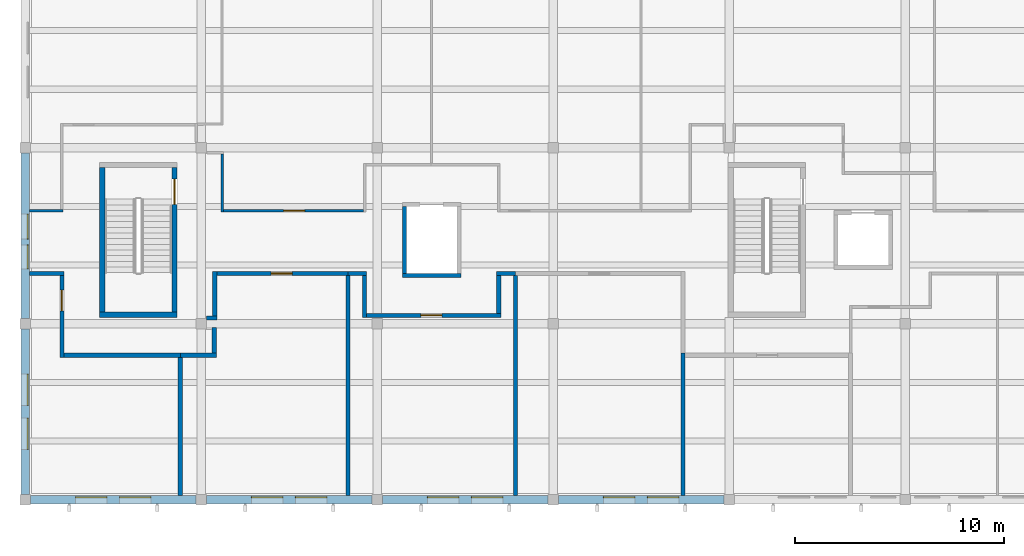
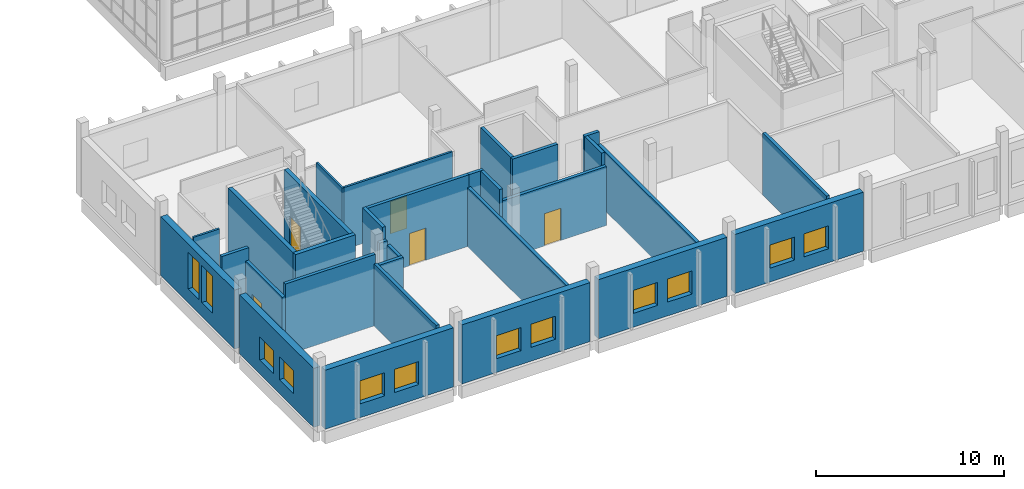
# One storey, part 57 of 119: 31 walls, 12 windows, 5 doors, 17 openings.
"""IFC4 building model written with IfcOpenShell, lengths in metres."""

from ifc_helpers import new_model, si_unit, direction, frame, frame_2d, origin, place, context, subcontext, project, spatial, rectangle, extrude, material, layer, layer_set, type_object, element, fill, save


model = new_model("IFC4")

# Units and contexts
model_context = context("Model", 3, precision=1e-05, world=origin(), true_north=direction((0.0, 1.0)))
body_context = subcontext(model_context, "Body", "Model", "MODEL_VIEW")
ifc_project = project(units=[si_unit("LENGTHUNIT", "METRE"), si_unit("AREAUNIT", "SQUARE_METRE"), si_unit("VOLUMEUNIT", "CUBIC_METRE"), si_unit("PLANEANGLEUNIT", "RADIAN"), si_unit("MASSUNIT", "GRAM", prefix="KILO")], contexts=[model_context])

# Site, building, storey
site_placement = place(None, origin())
site = spatial("IfcSite", under=ifc_project, at=site_placement, CompositionType="ELEMENT")
building_placement = place(site_placement, origin())
building = spatial("IfcBuilding", under=site, at=building_placement, Name="Larchfold Concert Hall", CompositionType="ELEMENT")
storey_placement = place(building_placement, frame((0.0, 0.0, 4.800048828125)))
storey = spatial("IfcBuildingStorey", under=building, at=storey_placement, Name="L01", CompositionType="ELEMENT", Elevation=4.800048828125)

# Walls
ifc_material_1 = material(Name="Plasterboard partition on steel studs", Category="steel")
ifc_layer_1 = layer(ifc_material_1, 0.199951171875)
ifc_layer_set_1 = layer_set([ifc_layer_1], Name="Plasterboard partition on steel studs")
wall_type_1 = type_object("IfcWallType", Name="Acoustic partition 200", PredefinedType="PARTITIONING", material=ifc_layer_set_1)
wall_1_placement = place(storey_placement, frame((8.0, 7.39990234375, 0.0), z_axis=(0.0, 0.0, 1.0), x_axis=(0.0, -1.0, 0.0)))
element("IfcWall", 1, at=wall_1_placement, inside=storey, type_object=wall_type_1, Name="Partition IW0088", PredefinedType="PARTITIONING", context=body_context, shape_type="SweptSolid", body=[
    extrude(rectangle(XDim=6.599853515625, YDim=0.199951171875, at=frame_2d((3.2998046875, 0.0))), origin(), (0.0, 0.0, 1.0), 4.039794921875),
])
wall_2_placement = place(storey_placement, frame((0.800048828125, 11.39990234375, 0.0), z_axis=(0.0, 0.0, 1.0), x_axis=(1.0, 0.0, 0.0)))
element("IfcWall", 2, at=wall_2_placement, inside=storey, type_object=wall_type_1, Name="Partition IW0089", PredefinedType="PARTITIONING", context=body_context, shape_type="SweptSolid", body=[
    extrude(rectangle(XDim=1.64990234375, YDim=0.199951171875, at=frame_2d((0.824951171875, 0.0))), origin(), (0.0, 0.0, 1.0), 4.639892578125),
])

# Wall, opening, door
wall_3_placement = place(storey_placement, frame((2.35009765625, 11.300048828125, 0.0), z_axis=(0.0, 0.0, 1.0), x_axis=(0.0, -1.0, 0.0)))
wall_3 = element("IfcWall", 3, at=wall_3_placement, inside=storey, type_object=wall_type_1, Name="Partition IW0090", PredefinedType="PARTITIONING", context=body_context, shape_type="SweptSolid", body=[
    extrude(rectangle(XDim=3.900146484375, YDim=0.199951171875, at=frame_2d((1.9501953125, 0.0))), origin(), (0.0, 0.0, 1.0), 3.840087890625),
])
opening_1_placement = place(wall_3_placement, frame((0.690185546875, 0.0, 0.0)))
opening_1 = element("IfcOpeningElement", 4, at=opening_1_placement, cuts=wall_3, Name="Opening D-L01-142", PredefinedType="OPENING", context=body_context, shape_type="SweptSolid", body=[
    extrude(rectangle(XDim=1.0, YDim=2.10009765625, at=frame_2d((0.5, 1.050048828125))), frame((0.0, 0.10986328125, 0.0), z_axis=(0.0, -1.0, 0.0), x_axis=(1.0, 0.0, 0.0)), (0.0, 0.0, 1.0), 0.219970703125),
])
ifc_material_2 = material(Name="Timber door leaf", Category="wood")
door_type_1 = type_object("IfcDoorType", Name="Practice and studio door, acoustic 1000 x 2100 FD30S", OperationType="SINGLE_SWING_LEFT", PredefinedType="DOOR", material=ifc_material_2)
door_1_placement = place(opening_1_placement, origin())
door_1 = element("IfcDoor", 5, at=door_1_placement, inside=storey, type_object=door_type_1, Name="Door D-L01-142", OperationType="SINGLE_SWING_RIGHT", OverallHeight=2.10009765625, OverallWidth=1.0, PredefinedType="DOOR", context=body_context, shape_type="SweptSolid", body=[
    extrude(rectangle(XDim=1.0, YDim=2.10009765625, at=frame_2d((0.5, 1.050048828125))), frame((0.0, 0.02490234375, 0.0), z_axis=(0.0, -1.0, 0.0), x_axis=(1.0, 0.0, 0.0)), (0.0, 0.0, 1.0), 0.050048828125),
])
fill(opening_1, door_1)

# Walls
wall_4_placement = place(storey_placement, frame((2.449951171875, 7.5, 0.0), z_axis=(0.0, 0.0, 1.0), x_axis=(1.0, 0.0, 0.0)))
element("IfcWall", 6, at=wall_4_placement, inside=storey, type_object=wall_type_1, Name="Partition IW0091", PredefinedType="PARTITIONING", context=body_context, shape_type="SweptSolid", body=[
    extrude(rectangle(XDim=5.550048828125, YDim=0.199951171875, at=frame_2d((2.77490234375, 0.0))), origin(), (0.0, 0.0, 1.0), 4.639892578125),
])
wall_5_placement = place(storey_placement, frame((32.0, 0.800048828125, 0.0), z_axis=(0.0, 0.0, 1.0), x_axis=(0.0, 1.0, 0.0)))
element("IfcWall", 7, at=wall_5_placement, inside=storey, type_object=wall_type_1, Name="Partition IW0094", PredefinedType="PARTITIONING", context=body_context, shape_type="SweptSolid", body=[
    extrude(rectangle(XDim=6.800048828125, YDim=0.199951171875, at=frame_2d((3.39990234375, 0.0))), origin(), (0.0, 0.0, 1.0), 4.039794921875),
])
wall_6_placement = place(storey_placement, frame((16.0, 11.300048828125, 0.0), z_axis=(0.0, 0.0, 1.0), x_axis=(0.0, -1.0, 0.0)))
element("IfcWall", 8, at=wall_6_placement, inside=storey, type_object=wall_type_1, Name="Partition IW0097", PredefinedType="PARTITIONING", context=body_context, shape_type="SweptSolid", body=[
    extrude(rectangle(XDim=10.5, YDim=0.199951171875, at=frame_2d((5.25, 0.0))), origin(), (0.0, 0.0, 1.0), 3.840087890625),
])
wall_7_placement = place(storey_placement, frame((8.0, 7.5, 0.0), z_axis=(0.0, 0.0, 1.0), x_axis=(1.0, 0.0, 0.0)))
element("IfcWall", 9, at=wall_7_placement, inside=storey, type_object=wall_type_1, Name="Partition IW0098", PredefinedType="PARTITIONING", context=body_context, shape_type="SweptSolid", body=[
    extrude(rectangle(XDim=1.718994140625, YDim=0.199951171875, at=frame_2d((0.859375, 0.0))), origin(), (0.0, 0.0, 1.0), 3.840087890625),
])
wall_8_placement = place(storey_placement, frame((9.618896484375, 7.60009765625, 0.0), z_axis=(0.0, 0.0, 1.0), x_axis=(0.0, 1.0, 0.0)))
element("IfcWall", 10, at=wall_8_placement, inside=storey, type_object=wall_type_1, Name="Partition IW0099", PredefinedType="PARTITIONING", context=body_context, shape_type="SweptSolid", body=[
    extrude(rectangle(XDim=1.22998046875, YDim=0.199951171875, at=frame_2d((0.614990234375, 0.0))), origin(), (0.0, 0.0, 1.0), 3.840087890625),
])
wall_9_placement = place(storey_placement, frame((9.25, 9.27001953125, 0.0), z_axis=(0.0, 0.0, 1.0), x_axis=(1.0, 0.0, 0.0)))
element("IfcWall", 11, at=wall_9_placement, inside=storey, type_object=wall_type_1, Name="Partition IW0100", PredefinedType="PARTITIONING", context=body_context, shape_type="SweptSolid", body=[
    extrude(rectangle(XDim=0.5, YDim=0.199951171875, at=frame_2d((0.25, 0.0))), origin(), (0.0, 0.0, 1.0), 3.840087890625),
])
wall_10_placement = place(storey_placement, frame((9.64990234375, 9.3701171875, 0.0), z_axis=(0.0, 0.0, 1.0), x_axis=(0.0, 1.0, 0.0)))
element("IfcWall", 12, at=wall_10_placement, inside=storey, type_object=wall_type_1, Name="Partition IW0101", PredefinedType="PARTITIONING", context=body_context, shape_type="SweptSolid", body=[
    extrude(rectangle(XDim=2.1298828125, YDim=0.199951171875, at=frame_2d((1.06494140625, 0.0))), origin(), (0.0, 0.0, 1.0), 4.639892578125),
])

# Wall, opening, door
wall_11_placement = place(storey_placement, frame((9.75, 11.39990234375, 0.0), z_axis=(0.0, 0.0, 1.0), x_axis=(1.0, 0.0, 0.0)))
wall_11 = element("IfcWall", 13, at=wall_11_placement, inside=storey, type_object=wall_type_1, Name="Partition IW0102", PredefinedType="PARTITIONING", context=body_context, shape_type="SweptSolid", body=[
    extrude(rectangle(XDim=6.25, YDim=0.199951171875, at=frame_2d((3.125, 0.0))), origin(), (0.0, 0.0, 1.0), 4.639892578125),
])
opening_2_placement = place(wall_11_placement, frame((2.58642578125, 0.0, 0.0)))
opening_2 = element("IfcOpeningElement", 14, at=opening_2_placement, cuts=wall_11, Name="Opening D-L01-145", PredefinedType="OPENING", context=body_context, shape_type="SweptSolid", body=[
    extrude(rectangle(XDim=1.0, YDim=2.10009765625, at=frame_2d((0.5, 1.050048828125))), frame((0.0, 0.10986328125, 0.0), z_axis=(0.0, -1.0, 0.0), x_axis=(1.0, 0.0, 0.0)), (0.0, 0.0, 1.0), 0.219970703125),
])
door_2_placement = place(opening_2_placement, origin())
door_2 = element("IfcDoor", 15, at=door_2_placement, inside=storey, type_object=door_type_1, Name="Door D-L01-145", OperationType="SINGLE_SWING_RIGHT", OverallHeight=2.10009765625, OverallWidth=1.0, PredefinedType="DOOR", context=body_context, shape_type="SweptSolid", body=[
    extrude(rectangle(XDim=1.0, YDim=2.10009765625, at=frame_2d((0.5, 1.050048828125))), frame((0.0, 0.02490234375, 0.0), z_axis=(0.0, -1.0, 0.0), x_axis=(1.0, 0.0, 0.0)), (0.0, 0.0, 1.0), 0.050048828125),
])
fill(opening_2, door_2)

# Walls
wall_12_placement = place(storey_placement, frame((24.0, 11.300048828125, 0.0), z_axis=(0.0, 0.0, 1.0), x_axis=(0.0, -1.0, 0.0)))
element("IfcWall", 16, at=wall_12_placement, inside=storey, type_object=wall_type_1, Name="Partition IW0103", PredefinedType="PARTITIONING", context=body_context, shape_type="SweptSolid", body=[
    extrude(rectangle(XDim=10.5, YDim=0.199951171875, at=frame_2d((5.25, 0.0))), origin(), (0.0, 0.0, 1.0), 3.840087890625),
])
wall_13_placement = place(storey_placement, frame((16.0, 11.39990234375, 0.0), z_axis=(0.0, 0.0, 1.0), x_axis=(1.0, 0.0, 0.0)))
element("IfcWall", 17, at=wall_13_placement, inside=storey, type_object=wall_type_1, Name="Partition IW0104", PredefinedType="PARTITIONING", context=body_context, shape_type="SweptSolid", body=[
    extrude(rectangle(XDim=0.89990234375, YDim=0.199951171875, at=frame_2d((0.449951171875, 0.0))), origin(), (0.0, 0.0, 1.0), 4.639892578125),
])
wall_14_placement = place(storey_placement, frame((16.800048828125, 11.300048828125, 0.0), z_axis=(0.0, 0.0, 1.0), x_axis=(0.0, -1.0, 0.0)))
element("IfcWall", 18, at=wall_14_placement, inside=storey, type_object=wall_type_1, Name="Partition IW0105", PredefinedType="PARTITIONING", context=body_context, shape_type="SweptSolid", body=[
    extrude(rectangle(XDim=2.0, YDim=0.199951171875, at=frame_2d((1.0, 0.0))), origin(), (0.0, 0.0, 1.0), 4.639892578125),
])

# Wall, opening, door
wall_15_placement = place(storey_placement, frame((16.89990234375, 9.39990234375, 0.0), z_axis=(0.0, 0.0, 1.0), x_axis=(1.0, 0.0, 0.0)))
wall_15 = element("IfcWall", 19, at=wall_15_placement, inside=storey, type_object=wall_type_1, Name="Partition IW0106", PredefinedType="PARTITIONING", context=body_context, shape_type="SweptSolid", body=[
    extrude(rectangle(XDim=6.400146484375, YDim=0.199951171875, at=frame_2d((3.2001953125, 0.0))), origin(), (0.0, 0.0, 1.0), 3.840087890625),
])
opening_3_placement = place(wall_15_placement, frame((2.590576171875, 0.0, 0.0)))
opening_3 = element("IfcOpeningElement", 20, at=opening_3_placement, cuts=wall_15, Name="Opening D-L01-146", PredefinedType="OPENING", context=body_context, shape_type="SweptSolid", body=[
    extrude(rectangle(XDim=1.0, YDim=2.10009765625, at=frame_2d((0.5, 1.050048828125))), frame((0.0, 0.10986328125, 0.0), z_axis=(0.0, -1.0, 0.0), x_axis=(1.0, 0.0, 0.0)), (0.0, 0.0, 1.0), 0.219970703125),
])
door_3_placement = place(opening_3_placement, origin())
door_3 = element("IfcDoor", 21, at=door_3_placement, inside=storey, type_object=door_type_1, Name="Door D-L01-146", OperationType="SINGLE_SWING_RIGHT", OverallHeight=2.10009765625, OverallWidth=1.0, PredefinedType="DOOR", context=body_context, shape_type="SweptSolid", body=[
    extrude(rectangle(XDim=1.0, YDim=2.10009765625, at=frame_2d((0.5, 1.050048828125))), frame((0.0, 0.02490234375, 0.0), z_axis=(0.0, -1.0, 0.0), x_axis=(1.0, 0.0, 0.0)), (0.0, 0.0, 1.0), 0.050048828125),
])
fill(opening_3, door_3)

# Walls
wall_16_placement = place(storey_placement, frame((23.199951171875, 9.5, 0.0), z_axis=(0.0, 0.0, 1.0), x_axis=(0.0, 1.0, 0.0)))
element("IfcWall", 22, at=wall_16_placement, inside=storey, type_object=wall_type_1, Name="Partition IW0107", PredefinedType="PARTITIONING", context=body_context, shape_type="SweptSolid", body=[
    extrude(rectangle(XDim=1.800048828125, YDim=0.199951171875, at=frame_2d((0.89990234375, 0.0))), origin(), (0.0, 0.0, 1.0), 4.639892578125),
])
wall_17_placement = place(storey_placement, frame((23.10009765625, 11.39990234375, 0.0), z_axis=(0.0, 0.0, 1.0), x_axis=(1.0, 0.0, 0.0)))
element("IfcWall", 23, at=wall_17_placement, inside=storey, type_object=wall_type_1, Name="Partition IW0108", PredefinedType="PARTITIONING", context=body_context, shape_type="SweptSolid", body=[
    extrude(rectangle(XDim=0.89990234375, YDim=0.199951171875, at=frame_2d((0.449951171875, 0.0))), origin(), (0.0, 0.0, 1.0), 4.639892578125),
])
ifc_material_3 = material(Name="Plasterboard partition on steel studs", Category="steel")
ifc_layer_2 = layer(ifc_material_3, 0.125)
ifc_layer_set_2 = layer_set([ifc_layer_2], Name="Plasterboard partition on steel studs")
wall_type_2 = type_object("IfcWallType", Name="Corridor partition 125 EI 60", PredefinedType="PARTITIONING", material=ifc_layer_set_2)
wall_18_placement = place(storey_placement, frame((10.0, 17.097412109375, 0.0), z_axis=(0.0, 0.0, 1.0), x_axis=(0.0, -1.0, 0.0)))
element("IfcWall", 24, at=wall_18_placement, inside=storey, type_object=wall_type_2, Name="Partition IW0136", PredefinedType="PARTITIONING", context=body_context, shape_type="SweptSolid", body=[
    extrude(rectangle(XDim=2.760986328125, YDim=0.125, at=frame_2d((1.38037109375, 0.0))), origin(), (0.0, 0.0, 1.0), 4.039794921875),
])

# Wall, opening, door
wall_19_placement = place(storey_placement, frame((10.0625, 14.39892578125, 0.0), z_axis=(0.0, 0.0, 1.0), x_axis=(1.0, 0.0, 0.0)))
wall_19 = element("IfcWall", 25, at=wall_19_placement, inside=storey, type_object=wall_type_2, Name="Partition IW0137", PredefinedType="PARTITIONING", context=body_context, shape_type="SweptSolid", body=[
    extrude(rectangle(XDim=6.675048828125, YDim=0.125, at=frame_2d((3.33740234375, 0.0))), origin(), (0.0, 0.0, 1.0), 4.039794921875),
])
opening_4_placement = place(wall_19_placement, frame((2.875, 0.0, 0.0)))
opening_4 = element("IfcOpeningElement", 26, at=opening_4_placement, cuts=wall_19, Name="Opening D-L01-154", PredefinedType="OPENING", context=body_context, shape_type="SweptSolid", body=[
    extrude(rectangle(XDim=1.0, YDim=2.10009765625, at=frame_2d((0.5, 1.050048828125))), frame((0.0, 0.072509765625, 0.0), z_axis=(0.0, -1.0, 0.0), x_axis=(1.0, 0.0, 0.0)), (0.0, 0.0, 1.0), 0.14501953125),
])
ifc_material_4 = material(Name="Timber door leaf", Category="wood")
door_type_2 = type_object("IfcDoorType", Name="Room door 1000 x 2100 FD30S", OperationType="SINGLE_SWING_LEFT", PredefinedType="DOOR", material=ifc_material_4)
door_4_placement = place(opening_4_placement, origin())
door_4 = element("IfcDoor", 27, at=door_4_placement, inside=storey, type_object=door_type_2, Name="Door D-L01-154", OperationType="SINGLE_SWING_LEFT", OverallHeight=2.10009765625, OverallWidth=1.0, PredefinedType="DOOR", context=body_context, shape_type="SweptSolid", body=[
    extrude(rectangle(XDim=1.0, YDim=2.10009765625, at=frame_2d((0.5, 1.050048828125))), frame((0.0, 0.02490234375, 0.0), z_axis=(0.0, -1.0, 0.0), x_axis=(1.0, 0.0, 0.0)), (0.0, 0.0, 1.0), 0.050048828125),
])
fill(opening_4, door_4)

# Wall
wall_20_placement = place(storey_placement, frame((0.800048828125, 14.39990234375, 0.0), z_axis=(0.0, 0.0, 1.0), x_axis=(1.0, 0.0, 0.0)))
element("IfcWall", 28, at=wall_20_placement, inside=storey, type_object=wall_type_2, Name="Partition IW0138", PredefinedType="PARTITIONING", context=body_context, shape_type="SweptSolid", body=[
    extrude(rectangle(XDim=1.613525390625, YDim=0.125, at=frame_2d((0.806640625, 0.0))), origin(), (0.0, 0.0, 1.0), 4.039794921875),
])

# Wall, openings, windows
ifc_material_5 = material(Name="Larch cladding on mineral wool and CLT", Category="wood")
ifc_layer_3 = layer(ifc_material_5, 0.39990234375)
ifc_layer_set_3 = layer_set([ifc_layer_3], Name="Larch cladding on mineral wool and CLT")
wall_type_3 = type_object("IfcWallType", Name="Larch clad infill wall 400", PredefinedType="SOLIDWALL", material=ifc_layer_set_3)
wall_21_placement = place(storey_placement, frame((0.60009765625, 17.14990234375, 0.0), z_axis=(0.0, 0.0, 1.0), x_axis=(0.0, -1.0, 0.0)))
wall_21 = element("IfcWall", 29, at=wall_21_placement, inside=storey, type_object=wall_type_3, Name="Infill wall W5025", PredefinedType="SOLIDWALL", context=body_context, shape_type="SweptSolid", body=[
    extrude(rectangle(XDim=7.89990234375, YDim=0.39990234375, at=frame_2d((3.949951171875, 0.0))), origin(), (0.0, 0.0, 1.0), 3.840087890625),
])
opening_5_placement = place(wall_21_placement, frame((4.38232421875, 0.0, 0.89990234375)))
opening_5 = element("IfcOpeningElement", 30, at=opening_5_placement, cuts=wall_21, Name="Opening WN-L01-012", PredefinedType="OPENING", context=body_context, shape_type="SweptSolid", body=[
    extrude(rectangle(XDim=1.14990234375, YDim=2.39990234375, at=frame_2d((0.574951171875, 1.199951171875))), frame((0.0, 0.2099609375, 0.0), z_axis=(0.0, -1.0, 0.0), x_axis=(1.0, 0.0, 0.0)), (0.0, 0.0, 1.0), 0.419921875),
])
opening_6_placement = place(wall_21_placement, frame((2.914794921875, 0.0, 0.89990234375)))
opening_6 = element("IfcOpeningElement", 31, at=opening_6_placement, cuts=wall_21, Name="Opening WN-L01-013", PredefinedType="OPENING", context=body_context, shape_type="SweptSolid", body=[
    extrude(rectangle(XDim=1.199951171875, YDim=2.39990234375, at=frame_2d((0.60009765625, 1.199951171875))), frame((0.0, 0.2099609375, 0.0), z_axis=(0.0, -1.0, 0.0), x_axis=(1.0, 0.0, 0.0)), (0.0, 0.0, 1.0), 0.419921875),
])
ifc_material_6 = material(Name="Anodised graphite aluminium frame with glass", Category="aluminium")
window_type_1 = type_object("IfcWindowType", Name="Slot window 1150x2400", PartitioningType="SINGLE_PANEL", PredefinedType="WINDOW", material=ifc_material_6)
window_1_placement = place(opening_5_placement, origin())
window_1 = element("IfcWindow", 32, at=window_1_placement, inside=storey, type_object=window_type_1, Name="Window WN-L01-012", OverallHeight=2.39990234375, OverallWidth=1.14990234375, PartitioningType="SINGLE_PANEL", PredefinedType="WINDOW", context=body_context, shape_type="SweptSolid", body=[
    extrude(rectangle(XDim=1.14990234375, YDim=2.39990234375, at=frame_2d((0.574951171875, 1.199951171875))), frame((0.0, 0.150146484375, 0.0), z_axis=(0.0, -1.0, 0.0), x_axis=(1.0, 0.0, 0.0)), (0.0, 0.0, 1.0), 0.06005859375),
])
fill(opening_5, window_1)
ifc_material_7 = material(Name="Anodised graphite aluminium frame with glass", Category="aluminium")
window_type_2 = type_object("IfcWindowType", Name="Slot window 1200x2400", PartitioningType="SINGLE_PANEL", PredefinedType="WINDOW", material=ifc_material_7)
window_2_placement = place(opening_6_placement, origin())
window_2 = element("IfcWindow", 33, at=window_2_placement, inside=storey, type_object=window_type_2, Name="Window WN-L01-013", OverallHeight=2.39990234375, OverallWidth=1.199951171875, PartitioningType="SINGLE_PANEL", PredefinedType="WINDOW", context=body_context, shape_type="SweptSolid", body=[
    extrude(rectangle(XDim=1.199951171875, YDim=2.39990234375, at=frame_2d((0.60009765625, 1.199951171875))), frame((0.0, 0.150146484375, 0.0), z_axis=(0.0, -1.0, 0.0), x_axis=(1.0, 0.0, 0.0)), (0.0, 0.0, 1.0), 0.06005859375),
])
fill(opening_6, window_2)

wall_22_placement = place(storey_placement, frame((0.60009765625, 8.75, 0.0), z_axis=(0.0, 0.0, 1.0), x_axis=(0.0, -1.0, 0.0)))
wall_22 = element("IfcWall", 34, at=wall_22_placement, inside=storey, type_object=wall_type_3, Name="Infill wall W5026", PredefinedType="SOLIDWALL", context=body_context, shape_type="SweptSolid", body=[
    extrude(rectangle(XDim=7.89990234375, YDim=0.39990234375, at=frame_2d((3.949951171875, 0.0))), origin(), (0.0, 0.0, 1.0), 3.840087890625),
])
opening_7_placement = place(wall_22_placement, frame((4.25, 0.0, 0.89990234375)))
opening_7 = element("IfcOpeningElement", 35, at=opening_7_placement, cuts=wall_22, Name="Opening WN-L01-014", PredefinedType="OPENING", context=body_context, shape_type="SweptSolid", body=[
    extrude(rectangle(XDim=1.5, YDim=1.5, at=frame_2d((0.75, 0.75))), frame((0.0, 0.2099609375, 0.0), z_axis=(0.0, -1.0, 0.0), x_axis=(1.0, 0.0, 0.0)), (0.0, 0.0, 1.0), 0.419921875),
])
opening_8_placement = place(wall_22_placement, frame((2.14990234375, 0.0, 0.89990234375)))
opening_8 = element("IfcOpeningElement", 36, at=opening_8_placement, cuts=wall_22, Name="Opening WN-L01-015", PredefinedType="OPENING", context=body_context, shape_type="SweptSolid", body=[
    extrude(rectangle(XDim=1.5, YDim=1.5, at=frame_2d((0.75, 0.75))), frame((0.0, 0.2099609375, 0.0), z_axis=(0.0, -1.0, 0.0), x_axis=(1.0, 0.0, 0.0)), (0.0, 0.0, 1.0), 0.419921875),
])
ifc_material_8 = material(Name="Anodised graphite aluminium frame with glass", Category="aluminium")
window_type_3 = type_object("IfcWindowType", Name="Studio window 1500x1500", PartitioningType="DOUBLE_PANEL_VERTICAL", PredefinedType="WINDOW", material=ifc_material_8)
window_3_placement = place(opening_7_placement, origin())
window_3 = element("IfcWindow", 37, at=window_3_placement, inside=storey, type_object=window_type_3, Name="Window WN-L01-014", OverallHeight=1.5, OverallWidth=1.5, PartitioningType="DOUBLE_PANEL_VERTICAL", PredefinedType="WINDOW", context=body_context, shape_type="SweptSolid", body=[
    extrude(rectangle(XDim=1.5, YDim=1.5, at=frame_2d((0.75, 0.75))), frame((0.0, 0.150146484375, 0.0), z_axis=(0.0, -1.0, 0.0), x_axis=(1.0, 0.0, 0.0)), (0.0, 0.0, 1.0), 0.06005859375),
])
fill(opening_7, window_3)
window_4_placement = place(opening_8_placement, origin())
window_4 = element("IfcWindow", 38, at=window_4_placement, inside=storey, type_object=window_type_3, Name="Window WN-L01-015", OverallHeight=1.5, OverallWidth=1.5, PartitioningType="DOUBLE_PANEL_VERTICAL", PredefinedType="WINDOW", context=body_context, shape_type="SweptSolid", body=[
    extrude(rectangle(XDim=1.5, YDim=1.5, at=frame_2d((0.75, 0.75))), frame((0.0, 0.150146484375, 0.0), z_axis=(0.0, -1.0, 0.0), x_axis=(1.0, 0.0, 0.0)), (0.0, 0.0, 1.0), 0.06005859375),
])
fill(opening_8, window_4)

wall_23_placement = place(storey_placement, frame((0.85009765625, 0.60009765625, 0.0), z_axis=(0.0, 0.0, 1.0), x_axis=(1.0, 0.0, 0.0)))
wall_23 = element("IfcWall", 39, at=wall_23_placement, inside=storey, type_object=wall_type_3, Name="Infill wall W5027", PredefinedType="SOLIDWALL", context=body_context, shape_type="SweptSolid", body=[
    extrude(rectangle(XDim=7.89990234375, YDim=0.39990234375, at=frame_2d((3.949951171875, 0.0))), origin(), (0.0, 0.0, 1.0), 3.840087890625),
])
opening_9_placement = place(wall_23_placement, frame((2.14990234375, 0.0, 0.89990234375)))
opening_9 = element("IfcOpeningElement", 40, at=opening_9_placement, cuts=wall_23, Name="Opening WN-L01-016", PredefinedType="OPENING", context=body_context, shape_type="SweptSolid", body=[
    extrude(rectangle(XDim=1.5, YDim=1.5, at=frame_2d((0.75, 0.75))), frame((0.0, 0.2099609375, 0.0), z_axis=(0.0, -1.0, 0.0), x_axis=(1.0, 0.0, 0.0)), (0.0, 0.0, 1.0), 0.419921875),
])
opening_10_placement = place(wall_23_placement, frame((4.25, 0.0, 0.89990234375)))
opening_10 = element("IfcOpeningElement", 41, at=opening_10_placement, cuts=wall_23, Name="Opening WN-L01-017", PredefinedType="OPENING", context=body_context, shape_type="SweptSolid", body=[
    extrude(rectangle(XDim=1.5, YDim=1.5, at=frame_2d((0.75, 0.75))), frame((0.0, 0.2099609375, 0.0), z_axis=(0.0, -1.0, 0.0), x_axis=(1.0, 0.0, 0.0)), (0.0, 0.0, 1.0), 0.419921875),
])
window_5_placement = place(opening_9_placement, origin())
window_5 = element("IfcWindow", 42, at=window_5_placement, inside=storey, type_object=window_type_3, Name="Window WN-L01-016", OverallHeight=1.5, OverallWidth=1.5, PartitioningType="DOUBLE_PANEL_VERTICAL", PredefinedType="WINDOW", context=body_context, shape_type="SweptSolid", body=[
    extrude(rectangle(XDim=1.5, YDim=1.5, at=frame_2d((0.75, 0.75))), frame((0.0, 0.150146484375, 0.0), z_axis=(0.0, -1.0, 0.0), x_axis=(1.0, 0.0, 0.0)), (0.0, 0.0, 1.0), 0.06005859375),
])
fill(opening_9, window_5)
window_6_placement = place(opening_10_placement, origin())
window_6 = element("IfcWindow", 43, at=window_6_placement, inside=storey, type_object=window_type_3, Name="Window WN-L01-017", OverallHeight=1.5, OverallWidth=1.5, PartitioningType="DOUBLE_PANEL_VERTICAL", PredefinedType="WINDOW", context=body_context, shape_type="SweptSolid", body=[
    extrude(rectangle(XDim=1.5, YDim=1.5, at=frame_2d((0.75, 0.75))), frame((0.0, 0.150146484375, 0.0), z_axis=(0.0, -1.0, 0.0), x_axis=(1.0, 0.0, 0.0)), (0.0, 0.0, 1.0), 0.06005859375),
])
fill(opening_10, window_6)

wall_24_placement = place(storey_placement, frame((9.25, 0.60009765625, 0.0), z_axis=(0.0, 0.0, 1.0), x_axis=(1.0, 0.0, 0.0)))
wall_24 = element("IfcWall", 44, at=wall_24_placement, inside=storey, type_object=wall_type_3, Name="Infill wall W5028", PredefinedType="SOLIDWALL", context=body_context, shape_type="SweptSolid", body=[
    extrude(rectangle(XDim=7.89990234375, YDim=0.39990234375, at=frame_2d((3.949951171875, 0.0))), origin(), (0.0, 0.0, 1.0), 3.840087890625),
])
opening_11_placement = place(wall_24_placement, frame((2.14990234375, 0.0, 0.89990234375)))
opening_11 = element("IfcOpeningElement", 45, at=opening_11_placement, cuts=wall_24, Name="Opening WN-L01-018", PredefinedType="OPENING", context=body_context, shape_type="SweptSolid", body=[
    extrude(rectangle(XDim=1.5, YDim=1.5, at=frame_2d((0.75, 0.75))), frame((0.0, 0.2099609375, 0.0), z_axis=(0.0, -1.0, 0.0), x_axis=(1.0, 0.0, 0.0)), (0.0, 0.0, 1.0), 0.419921875),
])
opening_12_placement = place(wall_24_placement, frame((4.25, 0.0, 0.89990234375)))
opening_12 = element("IfcOpeningElement", 46, at=opening_12_placement, cuts=wall_24, Name="Opening WN-L01-019", PredefinedType="OPENING", context=body_context, shape_type="SweptSolid", body=[
    extrude(rectangle(XDim=1.5, YDim=1.5, at=frame_2d((0.75, 0.75))), frame((0.0, 0.2099609375, 0.0), z_axis=(0.0, -1.0, 0.0), x_axis=(1.0, 0.0, 0.0)), (0.0, 0.0, 1.0), 0.419921875),
])
window_7_placement = place(opening_11_placement, origin())
window_7 = element("IfcWindow", 47, at=window_7_placement, inside=storey, type_object=window_type_3, Name="Window WN-L01-018", OverallHeight=1.5, OverallWidth=1.5, PartitioningType="DOUBLE_PANEL_VERTICAL", PredefinedType="WINDOW", context=body_context, shape_type="SweptSolid", body=[
    extrude(rectangle(XDim=1.5, YDim=1.5, at=frame_2d((0.75, 0.75))), frame((0.0, 0.150146484375, 0.0), z_axis=(0.0, -1.0, 0.0), x_axis=(1.0, 0.0, 0.0)), (0.0, 0.0, 1.0), 0.06005859375),
])
fill(opening_11, window_7)
window_8_placement = place(opening_12_placement, origin())
window_8 = element("IfcWindow", 48, at=window_8_placement, inside=storey, type_object=window_type_3, Name="Window WN-L01-019", OverallHeight=1.5, OverallWidth=1.5, PartitioningType="DOUBLE_PANEL_VERTICAL", PredefinedType="WINDOW", context=body_context, shape_type="SweptSolid", body=[
    extrude(rectangle(XDim=1.5, YDim=1.5, at=frame_2d((0.75, 0.75))), frame((0.0, 0.150146484375, 0.0), z_axis=(0.0, -1.0, 0.0), x_axis=(1.0, 0.0, 0.0)), (0.0, 0.0, 1.0), 0.06005859375),
])
fill(opening_12, window_8)

wall_25_placement = place(storey_placement, frame((17.64990234375, 0.60009765625, 0.0), z_axis=(0.0, 0.0, 1.0), x_axis=(1.0, 0.0, 0.0)))
wall_25 = element("IfcWall", 49, at=wall_25_placement, inside=storey, type_object=wall_type_3, Name="Infill wall W5029", PredefinedType="SOLIDWALL", context=body_context, shape_type="SweptSolid", body=[
    extrude(rectangle(XDim=7.900146484375, YDim=0.39990234375, at=frame_2d((3.9501953125, 0.0))), origin(), (0.0, 0.0, 1.0), 3.840087890625),
])
opening_13_placement = place(wall_25_placement, frame((2.150146484375, 0.0, 0.89990234375)))
opening_13 = element("IfcOpeningElement", 50, at=opening_13_placement, cuts=wall_25, Name="Opening WN-L01-020", PredefinedType="OPENING", context=body_context, shape_type="SweptSolid", body=[
    extrude(rectangle(XDim=1.5, YDim=1.5, at=frame_2d((0.75, 0.75))), frame((0.0, 0.2099609375, 0.0), z_axis=(0.0, -1.0, 0.0), x_axis=(1.0, 0.0, 0.0)), (0.0, 0.0, 1.0), 0.419921875),
])
opening_14_placement = place(wall_25_placement, frame((4.25, 0.0, 0.89990234375)))
opening_14 = element("IfcOpeningElement", 51, at=opening_14_placement, cuts=wall_25, Name="Opening WN-L01-021", PredefinedType="OPENING", context=body_context, shape_type="SweptSolid", body=[
    extrude(rectangle(XDim=1.5, YDim=1.5, at=frame_2d((0.75, 0.75))), frame((0.0, 0.2099609375, 0.0), z_axis=(0.0, -1.0, 0.0), x_axis=(1.0, 0.0, 0.0)), (0.0, 0.0, 1.0), 0.419921875),
])
window_9_placement = place(opening_13_placement, origin())
window_9 = element("IfcWindow", 52, at=window_9_placement, inside=storey, type_object=window_type_3, Name="Window WN-L01-020", OverallHeight=1.5, OverallWidth=1.5, PartitioningType="DOUBLE_PANEL_VERTICAL", PredefinedType="WINDOW", context=body_context, shape_type="SweptSolid", body=[
    extrude(rectangle(XDim=1.5, YDim=1.5, at=frame_2d((0.75, 0.75))), frame((0.0, 0.150146484375, 0.0), z_axis=(0.0, -1.0, 0.0), x_axis=(1.0, 0.0, 0.0)), (0.0, 0.0, 1.0), 0.06005859375),
])
fill(opening_13, window_9)
window_10_placement = place(opening_14_placement, origin())
window_10 = element("IfcWindow", 53, at=window_10_placement, inside=storey, type_object=window_type_3, Name="Window WN-L01-021", OverallHeight=1.5, OverallWidth=1.5, PartitioningType="DOUBLE_PANEL_VERTICAL", PredefinedType="WINDOW", context=body_context, shape_type="SweptSolid", body=[
    extrude(rectangle(XDim=1.5, YDim=1.5, at=frame_2d((0.75, 0.75))), frame((0.0, 0.150146484375, 0.0), z_axis=(0.0, -1.0, 0.0), x_axis=(1.0, 0.0, 0.0)), (0.0, 0.0, 1.0), 0.06005859375),
])
fill(opening_14, window_10)

wall_26_placement = place(storey_placement, frame((26.050048828125, 0.60009765625, 0.0), z_axis=(0.0, 0.0, 1.0), x_axis=(1.0, 0.0, 0.0)))
wall_26 = element("IfcWall", 54, at=wall_26_placement, inside=storey, type_object=wall_type_3, Name="Infill wall W5030", PredefinedType="SOLIDWALL", context=body_context, shape_type="SweptSolid", body=[
    extrude(rectangle(XDim=7.89990234375, YDim=0.39990234375, at=frame_2d((3.949951171875, 0.0))), origin(), (0.0, 0.0, 1.0), 3.840087890625),
])
opening_15_placement = place(wall_26_placement, frame((2.14990234375, 0.0, 0.89990234375)))
opening_15 = element("IfcOpeningElement", 55, at=opening_15_placement, cuts=wall_26, Name="Opening WN-L01-022", PredefinedType="OPENING", context=body_context, shape_type="SweptSolid", body=[
    extrude(rectangle(XDim=1.5, YDim=1.5, at=frame_2d((0.75, 0.75))), frame((0.0, 0.2099609375, 0.0), z_axis=(0.0, -1.0, 0.0), x_axis=(1.0, 0.0, 0.0)), (0.0, 0.0, 1.0), 0.419921875),
])
opening_16_placement = place(wall_26_placement, frame((4.2451171875, 0.0, 0.89990234375)))
opening_16 = element("IfcOpeningElement", 56, at=opening_16_placement, cuts=wall_26, Name="Opening WN-L01-023", PredefinedType="OPENING", context=body_context, shape_type="SweptSolid", body=[
    extrude(rectangle(XDim=1.5, YDim=1.5, at=frame_2d((0.75, 0.75))), frame((0.0, 0.2099609375, 0.0), z_axis=(0.0, -1.0, 0.0), x_axis=(1.0, 0.0, 0.0)), (0.0, 0.0, 1.0), 0.419921875),
])
window_11_placement = place(opening_15_placement, origin())
window_11 = element("IfcWindow", 57, at=window_11_placement, inside=storey, type_object=window_type_3, Name="Window WN-L01-022", OverallHeight=1.5, OverallWidth=1.5, PartitioningType="DOUBLE_PANEL_VERTICAL", PredefinedType="WINDOW", context=body_context, shape_type="SweptSolid", body=[
    extrude(rectangle(XDim=1.5, YDim=1.5, at=frame_2d((0.75, 0.75))), frame((0.0, 0.150146484375, 0.0), z_axis=(0.0, -1.0, 0.0), x_axis=(1.0, 0.0, 0.0)), (0.0, 0.0, 1.0), 0.06005859375),
])
fill(opening_15, window_11)
window_12_placement = place(opening_16_placement, origin())
window_12 = element("IfcWindow", 58, at=window_12_placement, inside=storey, type_object=window_type_3, Name="Window WN-L01-023", OverallHeight=1.5, OverallWidth=1.5, PartitioningType="DOUBLE_PANEL_VERTICAL", PredefinedType="WINDOW", context=body_context, shape_type="SweptSolid", body=[
    extrude(rectangle(XDim=1.5, YDim=1.5, at=frame_2d((0.75, 0.75))), frame((0.0, 0.150146484375, 0.0), z_axis=(0.0, -1.0, 0.0), x_axis=(1.0, 0.0, 0.0)), (0.0, 0.0, 1.0), 0.06005859375),
])
fill(opening_16, window_12)

# Walls
ifc_material_9 = material(Name="Concrete C40/50", Category="concrete")
ifc_layer_4 = layer(ifc_material_9, 0.199951171875)
ifc_layer_set_4 = layer_set([ifc_layer_4], Name="Concrete C40/50")
wall_type_4 = type_object("IfcWallType", Name="Wall RC 200 lift shaft", PredefinedType="SOLIDWALL", material=ifc_layer_set_4)
wall_27_placement = place(storey_placement, frame((18.60009765625, 11.300048828125, 0.0), z_axis=(0.0, 0.0, 1.0), x_axis=(1.0, 0.0, 0.0)))
element("IfcWall", 59, at=wall_27_placement, inside=storey, type_object=wall_type_4, Name="Wall W0180", PredefinedType="SOLIDWALL", context=body_context, shape_type="SweptSolid", body=[
    extrude(rectangle(XDim=2.7998046875, YDim=0.199951171875, at=frame_2d((1.39990234375, 0.0))), origin(), (0.0, 0.0, 1.0), 4.800048828125),
])
wall_28_placement = place(storey_placement, frame((18.7001953125, 11.39990234375, 0.0), z_axis=(0.0, 0.0, 1.0), x_axis=(0.0, 1.0, 0.0)))
element("IfcWall", 60, at=wall_28_placement, inside=storey, type_object=wall_type_4, Name="Wall W0182", PredefinedType="SOLIDWALL", context=body_context, shape_type="SweptSolid", body=[
    extrude(rectangle(XDim=3.2001953125, YDim=0.199951171875, at=frame_2d((1.60009765625, 0.0))), origin(), (0.0, 0.0, 1.0), 4.800048828125),
])
ifc_material_10 = material(Name="Concrete C40/50", Category="concrete")
ifc_layer_5 = layer(ifc_material_10, 0.25)
ifc_layer_set_5 = layer_set([ifc_layer_5], Name="Concrete C40/50")
wall_type_5 = type_object("IfcWallType", Name="Wall RC 250 stair core", PredefinedType="SOLIDWALL", material=ifc_layer_set_5)
wall_29_placement = place(storey_placement, frame((4.14990234375, 9.425048828125, 0.0), z_axis=(0.0, 0.0, 1.0), x_axis=(1.0, 0.0, 0.0)))
element("IfcWall", 61, at=wall_29_placement, inside=storey, type_object=wall_type_5, Name="Wall W0112", PredefinedType="SOLIDWALL", context=body_context, shape_type="SweptSolid", body=[
    extrude(rectangle(XDim=3.7001953125, YDim=0.25, at=frame_2d((1.85009765625, 0.0))), origin(), (0.0, 0.0, 1.0), 4.800048828125),
])
wall_30_placement = place(storey_placement, frame((4.27490234375, 9.550048828125, 0.0), z_axis=(0.0, 0.0, 1.0), x_axis=(0.0, 1.0, 0.0)))
element("IfcWall", 62, at=wall_30_placement, inside=storey, type_object=wall_type_5, Name="Wall W0114", PredefinedType="SOLIDWALL", context=body_context, shape_type="SweptSolid", body=[
    extrude(rectangle(XDim=6.89990234375, YDim=0.25, at=frame_2d((3.449951171875, 0.0))), origin(), (0.0, 0.0, 1.0), 4.800048828125),
])

# Wall, opening, door
wall_31_placement = place(storey_placement, frame((7.72509765625, 9.550048828125, 0.0), z_axis=(0.0, 0.0, 1.0), x_axis=(0.0, 1.0, 0.0)))
wall_31 = element("IfcWall", 63, at=wall_31_placement, inside=storey, type_object=wall_type_5, Name="Wall W0115", PredefinedType="SOLIDWALL", context=body_context, shape_type="SweptSolid", body=[
    extrude(rectangle(XDim=6.89990234375, YDim=0.25, at=frame_2d((3.449951171875, 0.0))), origin(), (0.0, 0.0, 1.0), 4.800048828125),
])
opening_17_placement = place(wall_31_placement, frame((5.14990234375, 0.0, 0.0)))
opening_17 = element("IfcOpeningElement", 64, at=opening_17_placement, cuts=wall_31, Name="Opening D-L01-181", PredefinedType="OPENING", context=body_context, shape_type="SweptSolid", body=[
    extrude(rectangle(XDim=1.199951171875, YDim=2.10009765625, at=frame_2d((0.60009765625, 1.050048828125))), frame((0.0, 0.135009765625, 0.0), z_axis=(0.0, -1.0, 0.0), x_axis=(1.0, 0.0, 0.0)), (0.0, 0.0, 1.0), 0.27001953125),
])
ifc_material_11 = material(Name="Timber door leaf", Category="wood")
door_type_3 = type_object("IfcDoorType", Name="Stair enclosure door pair 1200 x 2100 FD60", OperationType="SINGLE_SWING_LEFT", PredefinedType="DOOR", material=ifc_material_11)
door_5_placement = place(opening_17_placement, origin())
door_5 = element("IfcDoor", 65, at=door_5_placement, inside=storey, type_object=door_type_3, Name="Door D-L01-181", OperationType="DOUBLE_DOOR_SINGLE_SWING", OverallHeight=2.10009765625, OverallWidth=1.199951171875, PredefinedType="DOOR", context=body_context, shape_type="SweptSolid", body=[
    extrude(rectangle(XDim=1.199951171875, YDim=2.10009765625, at=frame_2d((0.60009765625, 1.050048828125))), frame((0.0, 0.02490234375, 0.0), z_axis=(0.0, -1.0, 0.0), x_axis=(1.0, 0.0, 0.0)), (0.0, 0.0, 1.0), 0.050048828125),
])
fill(opening_17, door_5)

save(model, "model.ifc")
